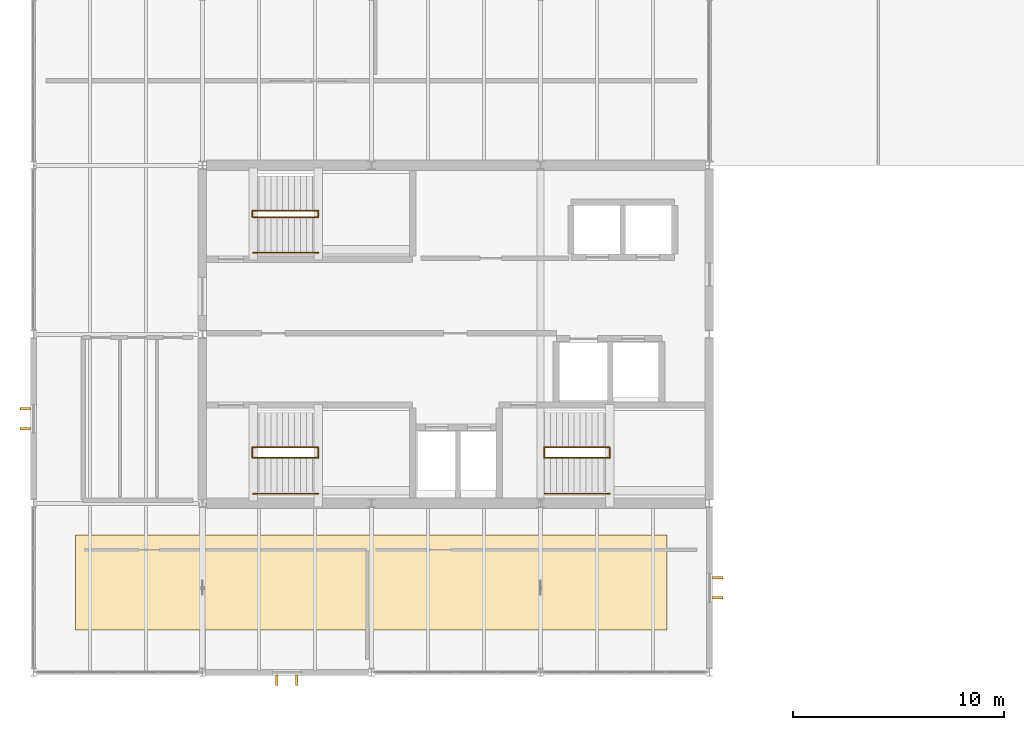
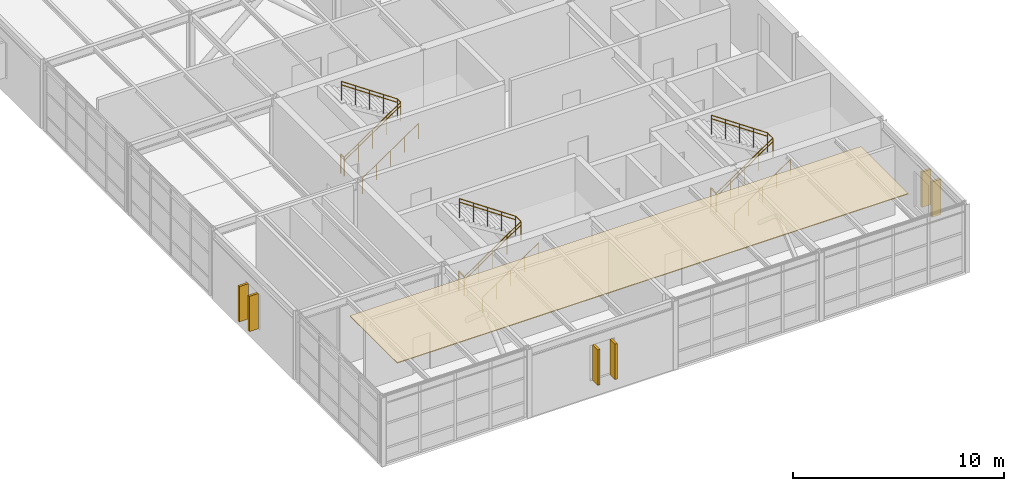
# One storey, part 19 of 20: 18 railings, 6 shading devices, 1 covering.
"""IFC4 building model written with IfcOpenShell, lengths in metres."""

from ifc_helpers import new_model, si_unit, direction, frame, origin, origin_2d, place, context, subcontext, project, spatial, polyline, rectangle, circle, outline, extrude, material, layer, layer_set, type_object, element, save


model = new_model("IFC4")

# Units and contexts
model_context = context("Model", 3, precision=1e-05, world=origin(), true_north=direction((0.0, 1.0)))
body_context = subcontext(model_context, "Body", "Model", "MODEL_VIEW")
ifc_project = project(units=[si_unit("LENGTHUNIT", "METRE"), si_unit("AREAUNIT", "SQUARE_METRE"), si_unit("VOLUMEUNIT", "CUBIC_METRE"), si_unit("PLANEANGLEUNIT", "RADIAN"), si_unit("MASSUNIT", "GRAM", prefix="KILO")], contexts=[model_context])

# Site, building, storey
site_placement = place(None, origin())
site = spatial("IfcSite", under=ifc_project, at=site_placement, CompositionType="ELEMENT")
building_placement = place(site_placement, origin())
building = spatial("IfcBuilding", under=site, at=building_placement, Name="Varnela Railside Interchange", CompositionType="ELEMENT")
storey_placement = place(building_placement, frame((0.0, 0.0, 28.0)))
storey = spatial("IfcBuildingStorey", under=building, at=storey_placement, Name="L06", CompositionType="ELEMENT", Elevation=28.0)

# Shading devices
ifc_material_1 = material(Name="Concrete C40 precast", Category="concrete")
shading_device_type = type_object("IfcShadingDeviceType", Name="Paulista Vertical Brise-Soleil BS-01", PredefinedType="USERDEFINED", material=ifc_material_1)
for number, where, z_axis, x_axis, name in (
    (1, (16.472412109375, 45.614990234375, 0.9501953125), (0.0, 0.0, 1.0), (0.0, -1.0, 0.0), "Paulista Vertical Brise-Soleil BS-01 (L06)"),
    (2, (15.527587890625, 45.614990234375, 0.9501953125), (0.0, 0.0, 1.0), (0.0, -1.0, 0.0), "Paulista Vertical Brise-Soleil BS-01 (L06)"),
    (3, (3.614990234375, 57.527587890625, 0.9501953125), (0.0, 0.0, 1.0), (-1.0, 0.0, 0.0), "Paulista Vertical Brise-Soleil BS-01 (L06)"),
    (4, (3.614990234375, 58.472412109375, 0.9501953125), (0.0, 0.0, 1.0), (-1.0, 0.0, 0.0), "Paulista Vertical Brise-Soleil BS-01 (L06)"),
    (5, (36.385009765625, 50.47314453125, 0.9501953125), (0.0, 0.0, 1.0), (1.0, 0.0, 0.0), "Paulista Vertical Brise-Soleil BS-01 (L06)"),
    (6, (36.385009765625, 49.5283203125, 0.9501953125), (0.0, 0.0, 1.0), (1.0, 0.0, 0.0), "Paulista Vertical Brise-Soleil BS-01 (L06)"),
):
    element("IfcShadingDevice", number, at=place(storey_placement, frame(where, z_axis=z_axis, x_axis=x_axis)), inside=storey, type_object=shading_device_type, Name=name, ObjectType="FIN", PredefinedType="USERDEFINED", context=body_context, shape_type="SweptSolid", body=[
        extrude(rectangle(XDim=0.5, YDim=0.1201171875, at=origin_2d()), origin(), (0.0, 0.0, 1.0), 2.050048828125),
    ])

# Covering
ifc_material_2 = material(Name="Gypsum acoustic board")
ifc_layer = layer(ifc_material_2, 0.044921875)
ifc_layer_set = layer_set([ifc_layer], Name="Gypsum acoustic board")
covering_type = type_object("IfcCoveringType", Name="Perforated Acoustic Baffle Ceiling CV-CLG", PredefinedType="CEILING", material=ifc_layer_set)
covering_placement = place(storey_placement, frame((0.0, 0.0, 3.93505859375)))
element("IfcCovering", 7, at=covering_placement, inside=storey, type_object=covering_type, Name="Perforated Acoustic Baffle Ceiling CV-CLG", PredefinedType="CEILING", context=body_context, shape_type="SweptSolid", body=[
    extrude(outline(polyline([(6.0, 48.0), (34.0, 48.0), (34.0, 52.5), (6.0, 52.5), (6.0, 48.0)])), origin(), (0.0, 0.0, 1.0), 0.044921875),
])

# Railings
ifc_material_3 = material(Name="Steel AR 350 (350 MPa)", Category="steel")
railing_type_1 = type_object("IfcRailingType", Name="Stair & Ramp Pitch Handrail HR-01", PredefinedType="HANDRAIL", material=ifc_material_3)
railing_1_placement = place(storey_placement, frame((14.39990234375, 56.14990234375, 0.0)))
element("IfcRailing", 8, at=railing_1_placement, inside=storey, type_object=railing_type_1, Name="Stair Handrail ST-T1 Flight 1 (RL-0463)", PredefinedType="HANDRAIL", context=body_context, shape_type="SweptSolid", body=[
    extrude(circle(Radius=0.02392578125, at=origin_2d()), frame((0.0, 0.0, 0.89599609375), z_axis=(0.826221800596, 0.0, 0.563344953133), x_axis=(0.0, 1.0, 0.0)), (0.0, 0.0, 1.0), 3.72802734375),
    extrude(circle(Radius=0.02099609375, at=origin_2d()), origin(), (0.0, 0.0, 1.0), 0.871826171875),
    extrude(circle(Radius=0.02099609375, at=origin_2d()), frame((0.77001953125, 0.0, 0.52490234375)), (0.0, 0.0, 1.0), 0.871826171875),
    extrude(circle(Radius=0.02099609375, at=origin_2d()), frame((1.5400390625, 0.0, 1.050048828125)), (0.0, 0.0, 1.0), 0.871826171875),
    extrude(circle(Radius=0.02099609375, at=origin_2d()), frame((2.31005859375, 0.0, 1.5751953125)), (0.0, 0.0, 1.0), 0.871826171875),
    extrude(circle(Radius=0.02099609375, at=origin_2d()), frame((3.080078125, 0.0, 2.10009765625)), (0.0, 0.0, 1.0), 0.871826171875),
])
railing_2_placement = place(storey_placement, frame((17.47998046875, 56.64990234375, 2.10009765625)))
element("IfcRailing", 9, at=railing_2_placement, inside=storey, type_object=railing_type_1, Name="Stair Handrail ST-T1 Flight 2 (RL-0464)", PredefinedType="HANDRAIL", context=body_context, shape_type="SweptSolid", body=[
    extrude(circle(Radius=0.02392578125, at=origin_2d()), frame((0.0, 0.0, 0.89599609375), z_axis=(-0.826252282691, 0.0, 0.563300244406), x_axis=(0.0, -1.0, 0.0)), (0.0, 0.0, 1.0), 3.727783203125),
    extrude(circle(Radius=0.02099609375, at=origin_2d()), origin(), (0.0, 0.0, 1.0), 0.871826171875),
    extrude(circle(Radius=0.02099609375, at=origin_2d()), frame((-0.77001953125, 0.0, 0.52490234375)), (0.0, 0.0, 1.0), 0.871826171875),
    extrude(circle(Radius=0.02099609375, at=origin_2d()), frame((-1.5400390625, 0.0, 1.0498046875)), (0.0, 0.0, 1.0), 0.871826171875),
    extrude(circle(Radius=0.02099609375, at=origin_2d()), frame((-2.31005859375, 0.0, 1.574951171875)), (0.0, 0.0, 1.0), 0.871826171875),
    extrude(circle(Radius=0.02099609375, at=origin_2d()), frame((-3.080078125, 0.0, 2.099853515625)), (0.0, 0.0, 1.0), 0.871826171875),
])
railing_3_placement = place(storey_placement, frame((28.199951171875, 56.14990234375, 0.0)))
element("IfcRailing", 10, at=railing_3_placement, inside=storey, type_object=railing_type_1, Name="Stair Handrail ST-T2 Flight 1 (RL-0465)", PredefinedType="HANDRAIL", context=body_context, shape_type="SweptSolid", body=[
    extrude(circle(Radius=0.02392578125, at=origin_2d()), frame((0.0, 0.0, 0.89599609375), z_axis=(0.826221800596, 0.0, 0.563344953133), x_axis=(0.0, 1.0, 0.0)), (0.0, 0.0, 1.0), 3.72802734375),
    extrude(circle(Radius=0.02099609375, at=origin_2d()), origin(), (0.0, 0.0, 1.0), 0.871826171875),
    extrude(circle(Radius=0.02099609375, at=origin_2d()), frame((0.77001953125, 0.0, 0.52490234375)), (0.0, 0.0, 1.0), 0.871826171875),
    extrude(circle(Radius=0.02099609375, at=origin_2d()), frame((1.5400390625, 0.0, 1.050048828125)), (0.0, 0.0, 1.0), 0.871826171875),
    extrude(circle(Radius=0.02099609375, at=origin_2d()), frame((2.31005859375, 0.0, 1.5751953125)), (0.0, 0.0, 1.0), 0.871826171875),
    extrude(circle(Radius=0.02099609375, at=origin_2d()), frame((3.080078125, 0.0, 2.10009765625)), (0.0, 0.0, 1.0), 0.871826171875),
])
railing_4_placement = place(storey_placement, frame((31.280029296875, 56.64990234375, 2.10009765625)))
element("IfcRailing", 11, at=railing_4_placement, inside=storey, type_object=railing_type_1, Name="Stair Handrail ST-T2 Flight 2 (RL-0466)", PredefinedType="HANDRAIL", context=body_context, shape_type="SweptSolid", body=[
    extrude(circle(Radius=0.02392578125, at=origin_2d()), frame((0.0, 0.0, 0.89599609375), z_axis=(-0.826252282691, 0.0, 0.563300244406), x_axis=(0.0, -1.0, 0.0)), (0.0, 0.0, 1.0), 3.727783203125),
    extrude(circle(Radius=0.02099609375, at=origin_2d()), origin(), (0.0, 0.0, 1.0), 0.871826171875),
    extrude(circle(Radius=0.02099609375, at=origin_2d()), frame((-0.77001953125, 0.0, 0.52490234375)), (0.0, 0.0, 1.0), 0.871826171875),
    extrude(circle(Radius=0.02099609375, at=origin_2d()), frame((-1.5400390625, 0.0, 1.0498046875)), (0.0, 0.0, 1.0), 0.871826171875),
    extrude(circle(Radius=0.02099609375, at=origin_2d()), frame((-2.31005859375, 0.0, 1.574951171875)), (0.0, 0.0, 1.0), 0.871826171875),
    extrude(circle(Radius=0.02099609375, at=origin_2d()), frame((-3.080078125, 0.0, 2.099853515625)), (0.0, 0.0, 1.0), 0.871826171875),
])
railing_5_placement = place(storey_placement, frame((14.39990234375, 67.550048828125, 0.0)))
element("IfcRailing", 12, at=railing_5_placement, inside=storey, type_object=railing_type_1, Name="Stair Handrail ST-T3 Flight 1 (RL-0467)", PredefinedType="HANDRAIL", context=body_context, shape_type="SweptSolid", body=[
    extrude(circle(Radius=0.02392578125, at=origin_2d()), frame((0.0, 0.0, 0.89599609375), z_axis=(0.826221800596, 0.0, 0.563344953133), x_axis=(0.0, 1.0, 0.0)), (0.0, 0.0, 1.0), 3.72802734375),
    extrude(circle(Radius=0.02099609375, at=origin_2d()), origin(), (0.0, 0.0, 1.0), 0.871826171875),
    extrude(circle(Radius=0.02099609375, at=origin_2d()), frame((0.77001953125, 0.0, 0.52490234375)), (0.0, 0.0, 1.0), 0.871826171875),
    extrude(circle(Radius=0.02099609375, at=origin_2d()), frame((1.5400390625, 0.0, 1.050048828125)), (0.0, 0.0, 1.0), 0.871826171875),
    extrude(circle(Radius=0.02099609375, at=origin_2d()), frame((2.31005859375, 0.0, 1.5751953125)), (0.0, 0.0, 1.0), 0.871826171875),
    extrude(circle(Radius=0.02099609375, at=origin_2d()), frame((3.080078125, 0.0, 2.10009765625)), (0.0, 0.0, 1.0), 0.871826171875),
])
railing_6_placement = place(storey_placement, frame((17.47998046875, 67.85009765625, 2.10009765625)))
element("IfcRailing", 13, at=railing_6_placement, inside=storey, type_object=railing_type_1, Name="Stair Handrail ST-T3 Flight 2 (RL-0468)", PredefinedType="HANDRAIL", context=body_context, shape_type="SweptSolid", body=[
    extrude(circle(Radius=0.02392578125, at=origin_2d()), frame((0.0, 0.0, 0.89599609375), z_axis=(-0.826252282691, 0.0, 0.563300244406), x_axis=(0.0, -1.0, 0.0)), (0.0, 0.0, 1.0), 3.727783203125),
    extrude(circle(Radius=0.02099609375, at=origin_2d()), origin(), (0.0, 0.0, 1.0), 0.871826171875),
    extrude(circle(Radius=0.02099609375, at=origin_2d()), frame((-0.77001953125, 0.0, 0.52490234375)), (0.0, 0.0, 1.0), 0.871826171875),
    extrude(circle(Radius=0.02099609375, at=origin_2d()), frame((-1.5400390625, 0.0, 1.0498046875)), (0.0, 0.0, 1.0), 0.871826171875),
    extrude(circle(Radius=0.02099609375, at=origin_2d()), frame((-2.31005859375, 0.0, 1.574951171875)), (0.0, 0.0, 1.0), 0.871826171875),
    extrude(circle(Radius=0.02099609375, at=origin_2d()), frame((-3.080078125, 0.0, 2.099853515625)), (0.0, 0.0, 1.0), 0.871826171875),
])
railing_type_2 = type_object("IfcRailingType", Name="Stair Well & Landing Guard GR-02", PredefinedType="GUARDRAIL", material=ifc_material_3)
railing_7_placement = place(storey_placement, frame((14.3701171875, 56.14990234375, 0.0)))
element("IfcRailing", 14, at=railing_7_placement, inside=storey, type_object=railing_type_2, Name="Stair Well Slot Guard ST-T1 on L06 (RL-0456)", PredefinedType="GUARDRAIL", context=body_context, shape_type="SweptSolid", body=[
    extrude(circle(Radius=0.02392578125, at=origin_2d()), frame((0.0, 0.0, 1.09619140625), z_axis=(0.0, 1.0, 0.0), x_axis=(-1.0, 0.0, 0.0)), (0.0, 0.0, 1.0), 0.5),
    extrude(circle(Radius=0.02099609375, at=origin_2d()), origin(), (0.0, 0.0, 1.0), 1.072021484375),
    extrude(circle(Radius=0.02099609375, at=origin_2d()), frame((0.0, 0.5, 0.0)), (0.0, 0.0, 1.0), 1.072021484375),
])
railing_8_placement = place(storey_placement, frame((14.39990234375, 56.14990234375, 0.0)))
element("IfcRailing", 15, at=railing_8_placement, inside=storey, type_object=railing_type_2, Name="Stair Guard ST-T1 Half-Landing (RL-0454)", PredefinedType="GUARDRAIL", context=body_context, shape_type="SweptSolid", body=[
    extrude(circle(Radius=0.02392578125, at=origin_2d()), frame((0.0, 0.0, 1.09619140625), z_axis=(0.826221800596, 0.0, 0.563344953133), x_axis=(0.0, 1.0, 0.0)), (0.0, 0.0, 1.0), 3.72802734375),
    extrude(circle(Radius=0.02392578125, at=origin_2d()), frame((3.080078125, 0.0, 3.1962890625), z_axis=(0.0, 1.0, 0.0), x_axis=(-1.0, 0.0, 0.0)), (0.0, 0.0, 1.0), 0.5),
    extrude(circle(Radius=0.02099609375, at=origin_2d()), origin(), (0.0, 0.0, 1.0), 1.072021484375),
    extrude(circle(Radius=0.02099609375, at=origin_2d()), frame((0.77001953125, 0.0, 0.52490234375)), (0.0, 0.0, 1.0), 1.072021484375),
    extrude(circle(Radius=0.02099609375, at=origin_2d()), frame((1.5400390625, 0.0, 1.050048828125)), (0.0, 0.0, 1.0), 1.072021484375),
    extrude(circle(Radius=0.02099609375, at=origin_2d()), frame((2.31005859375, 0.0, 1.5751953125)), (0.0, 0.0, 1.0), 1.072021484375),
    extrude(circle(Radius=0.02099609375, at=origin_2d()), frame((3.080078125, 0.0, 2.10009765625)), (0.0, 0.0, 1.0), 1.072021484375),
    extrude(circle(Radius=0.02099609375, at=origin_2d()), frame((3.080078125, 0.5, 2.10009765625)), (0.0, 0.0, 1.0), 1.072021484375),
])
railing_9_placement = place(storey_placement, frame((17.47998046875, 56.64990234375, 2.10009765625)))
element("IfcRailing", 16, at=railing_9_placement, inside=storey, type_object=railing_type_2, Name="Stair Guard ST-T1 Upper Flight (RL-0455)", PredefinedType="GUARDRAIL", context=body_context, shape_type="SweptSolid", body=[
    extrude(circle(Radius=0.02392578125, at=origin_2d()), frame((0.0, 0.0, 1.09619140625), z_axis=(-0.826252282691, 0.0, 0.563300244406), x_axis=(0.0, -1.0, 0.0)), (0.0, 0.0, 1.0), 3.727783203125),
    extrude(circle(Radius=0.02099609375, at=origin_2d()), origin(), (0.0, 0.0, 1.0), 1.072021484375),
    extrude(circle(Radius=0.02099609375, at=origin_2d()), frame((-0.77001953125, 0.0, 0.52490234375)), (0.0, 0.0, 1.0), 1.072021484375),
    extrude(circle(Radius=0.02099609375, at=origin_2d()), frame((-1.5400390625, 0.0, 1.0498046875)), (0.0, 0.0, 1.0), 1.072021484375),
    extrude(circle(Radius=0.02099609375, at=origin_2d()), frame((-2.31005859375, 0.0, 1.574951171875)), (0.0, 0.0, 1.0), 1.072021484375),
    extrude(circle(Radius=0.02099609375, at=origin_2d()), frame((-3.080078125, 0.0, 2.099853515625)), (0.0, 0.0, 1.0), 1.072021484375),
])
railing_10_placement = place(storey_placement, frame((28.169921875, 56.14990234375, 0.0)))
element("IfcRailing", 17, at=railing_10_placement, inside=storey, type_object=railing_type_2, Name="Stair Well Slot Guard ST-T2 on L06 (RL-0459)", PredefinedType="GUARDRAIL", context=body_context, shape_type="SweptSolid", body=[
    extrude(circle(Radius=0.02392578125, at=origin_2d()), frame((0.0, 0.0, 1.09619140625), z_axis=(0.0, 1.0, 0.0), x_axis=(-1.0, 0.0, 0.0)), (0.0, 0.0, 1.0), 0.5),
    extrude(circle(Radius=0.02099609375, at=origin_2d()), origin(), (0.0, 0.0, 1.0), 1.072021484375),
    extrude(circle(Radius=0.02099609375, at=origin_2d()), frame((0.0, 0.5, 0.0)), (0.0, 0.0, 1.0), 1.072021484375),
])
railing_11_placement = place(storey_placement, frame((28.199951171875, 56.14990234375, 0.0)))
element("IfcRailing", 18, at=railing_11_placement, inside=storey, type_object=railing_type_2, Name="Stair Guard ST-T2 Half-Landing (RL-0457)", PredefinedType="GUARDRAIL", context=body_context, shape_type="SweptSolid", body=[
    extrude(circle(Radius=0.02392578125, at=origin_2d()), frame((0.0, 0.0, 1.09619140625), z_axis=(0.826221800596, 0.0, 0.563344953133), x_axis=(0.0, 1.0, 0.0)), (0.0, 0.0, 1.0), 3.72802734375),
    extrude(circle(Radius=0.02392578125, at=origin_2d()), frame((3.080078125, 0.0, 3.1962890625), z_axis=(0.0, 1.0, 0.0), x_axis=(-1.0, 0.0, 0.0)), (0.0, 0.0, 1.0), 0.5),
    extrude(circle(Radius=0.02099609375, at=origin_2d()), origin(), (0.0, 0.0, 1.0), 1.072021484375),
    extrude(circle(Radius=0.02099609375, at=origin_2d()), frame((0.77001953125, 0.0, 0.52490234375)), (0.0, 0.0, 1.0), 1.072021484375),
    extrude(circle(Radius=0.02099609375, at=origin_2d()), frame((1.5400390625, 0.0, 1.050048828125)), (0.0, 0.0, 1.0), 1.072021484375),
    extrude(circle(Radius=0.02099609375, at=origin_2d()), frame((2.31005859375, 0.0, 1.5751953125)), (0.0, 0.0, 1.0), 1.072021484375),
    extrude(circle(Radius=0.02099609375, at=origin_2d()), frame((3.080078125, 0.0, 2.10009765625)), (0.0, 0.0, 1.0), 1.072021484375),
    extrude(circle(Radius=0.02099609375, at=origin_2d()), frame((3.080078125, 0.5, 2.10009765625)), (0.0, 0.0, 1.0), 1.072021484375),
])
railing_12_placement = place(storey_placement, frame((31.280029296875, 56.64990234375, 2.10009765625)))
element("IfcRailing", 19, at=railing_12_placement, inside=storey, type_object=railing_type_2, Name="Stair Guard ST-T2 Upper Flight (RL-0458)", PredefinedType="GUARDRAIL", context=body_context, shape_type="SweptSolid", body=[
    extrude(circle(Radius=0.02392578125, at=origin_2d()), frame((0.0, 0.0, 1.09619140625), z_axis=(-0.826252282691, 0.0, 0.563300244406), x_axis=(0.0, -1.0, 0.0)), (0.0, 0.0, 1.0), 3.727783203125),
    extrude(circle(Radius=0.02099609375, at=origin_2d()), origin(), (0.0, 0.0, 1.0), 1.072021484375),
    extrude(circle(Radius=0.02099609375, at=origin_2d()), frame((-0.77001953125, 0.0, 0.52490234375)), (0.0, 0.0, 1.0), 1.072021484375),
    extrude(circle(Radius=0.02099609375, at=origin_2d()), frame((-1.5400390625, 0.0, 1.0498046875)), (0.0, 0.0, 1.0), 1.072021484375),
    extrude(circle(Radius=0.02099609375, at=origin_2d()), frame((-2.31005859375, 0.0, 1.574951171875)), (0.0, 0.0, 1.0), 1.072021484375),
    extrude(circle(Radius=0.02099609375, at=origin_2d()), frame((-3.080078125, 0.0, 2.099853515625)), (0.0, 0.0, 1.0), 1.072021484375),
])
railing_13_placement = place(storey_placement, frame((14.3701171875, 67.550048828125, 0.0)))
element("IfcRailing", 20, at=railing_13_placement, inside=storey, type_object=railing_type_2, Name="Stair Well Slot Guard ST-T3 on L06 (RL-0462)", PredefinedType="GUARDRAIL", context=body_context, shape_type="SweptSolid", body=[
    extrude(circle(Radius=0.02392578125, at=origin_2d()), frame((0.0, 0.0, 1.09619140625), z_axis=(0.0, 1.0, 0.0), x_axis=(-1.0, 0.0, 0.0)), (0.0, 0.0, 1.0), 0.300048828125),
    extrude(circle(Radius=0.02099609375, at=origin_2d()), origin(), (0.0, 0.0, 1.0), 1.072021484375),
    extrude(circle(Radius=0.02099609375, at=origin_2d()), frame((0.0, 0.300048828125, 0.0)), (0.0, 0.0, 1.0), 1.072021484375),
])
railing_14_placement = place(storey_placement, frame((14.39990234375, 67.550048828125, 0.0)))
element("IfcRailing", 21, at=railing_14_placement, inside=storey, type_object=railing_type_2, Name="Stair Guard ST-T3 Half-Landing (RL-0460)", PredefinedType="GUARDRAIL", context=body_context, shape_type="SweptSolid", body=[
    extrude(circle(Radius=0.02392578125, at=origin_2d()), frame((0.0, 0.0, 1.09619140625), z_axis=(0.826221800596, 0.0, 0.563344953133), x_axis=(0.0, 1.0, 0.0)), (0.0, 0.0, 1.0), 3.72802734375),
    extrude(circle(Radius=0.02392578125, at=origin_2d()), frame((3.080078125, 0.0, 3.1962890625), z_axis=(0.0, 1.0, 0.0), x_axis=(-1.0, 0.0, 0.0)), (0.0, 0.0, 1.0), 0.300048828125),
    extrude(circle(Radius=0.02099609375, at=origin_2d()), origin(), (0.0, 0.0, 1.0), 1.072021484375),
    extrude(circle(Radius=0.02099609375, at=origin_2d()), frame((0.77001953125, 0.0, 0.52490234375)), (0.0, 0.0, 1.0), 1.072021484375),
    extrude(circle(Radius=0.02099609375, at=origin_2d()), frame((1.5400390625, 0.0, 1.050048828125)), (0.0, 0.0, 1.0), 1.072021484375),
    extrude(circle(Radius=0.02099609375, at=origin_2d()), frame((2.31005859375, 0.0, 1.5751953125)), (0.0, 0.0, 1.0), 1.072021484375),
    extrude(circle(Radius=0.02099609375, at=origin_2d()), frame((3.080078125, 0.0, 2.10009765625)), (0.0, 0.0, 1.0), 1.072021484375),
    extrude(circle(Radius=0.02099609375, at=origin_2d()), frame((3.080078125, 0.300048828125, 2.10009765625)), (0.0, 0.0, 1.0), 1.072021484375),
])
railing_15_placement = place(storey_placement, frame((17.47998046875, 67.85009765625, 2.10009765625)))
element("IfcRailing", 22, at=railing_15_placement, inside=storey, type_object=railing_type_2, Name="Stair Guard ST-T3 Upper Flight (RL-0461)", PredefinedType="GUARDRAIL", context=body_context, shape_type="SweptSolid", body=[
    extrude(circle(Radius=0.02392578125, at=origin_2d()), frame((0.0, 0.0, 1.09619140625), z_axis=(-0.826252282691, 0.0, 0.563300244406), x_axis=(0.0, -1.0, 0.0)), (0.0, 0.0, 1.0), 3.727783203125),
    extrude(circle(Radius=0.02099609375, at=origin_2d()), origin(), (0.0, 0.0, 1.0), 1.072021484375),
    extrude(circle(Radius=0.02099609375, at=origin_2d()), frame((-0.77001953125, 0.0, 0.52490234375)), (0.0, 0.0, 1.0), 1.072021484375),
    extrude(circle(Radius=0.02099609375, at=origin_2d()), frame((-1.5400390625, 0.0, 1.0498046875)), (0.0, 0.0, 1.0), 1.072021484375),
    extrude(circle(Radius=0.02099609375, at=origin_2d()), frame((-2.31005859375, 0.0, 1.574951171875)), (0.0, 0.0, 1.0), 1.072021484375),
    extrude(circle(Radius=0.02099609375, at=origin_2d()), frame((-3.080078125, 0.0, 2.099853515625)), (0.0, 0.0, 1.0), 1.072021484375),
])
railing_type_3 = type_object("IfcRailingType", Name="Wall-Mounted Stair Handrail HR-02", PredefinedType="HANDRAIL", material=ifc_material_3)
for number, where, name in (
    (23, (14.39990234375, 54.4599609375, 0.0), "Wall Handrail ST-T1 Flight 1 (RL-0469)"),
    (24, (28.199951171875, 54.4599609375, 0.0), "Wall Handrail ST-T2 Flight 1 (RL-0470)"),
    (25, (14.39990234375, 65.860107421875, 0.0), "Wall Handrail ST-T3 Flight 1 (RL-0471)"),
):
    element("IfcRailing", number, at=place(storey_placement, frame(where)), inside=storey, type_object=railing_type_3, Name=name, PredefinedType="HANDRAIL", context=body_context, shape_type="SweptSolid", body=[
        extrude(circle(Radius=0.02392578125, at=origin_2d()), frame((0.0, 0.0, 0.89599609375), z_axis=(0.826221800596, 0.0, 0.563344953133), x_axis=(0.0, 1.0, 0.0)), (0.0, 0.0, 1.0), 3.72802734375),
        extrude(circle(Radius=0.02099609375, at=origin_2d()), origin(), (0.0, 0.0, 1.0), 0.871826171875),
        extrude(circle(Radius=0.02099609375, at=origin_2d()), frame((0.77001953125, 0.0, 0.52490234375)), (0.0, 0.0, 1.0), 0.871826171875),
        extrude(circle(Radius=0.02099609375, at=origin_2d()), frame((1.5400390625, 0.0, 1.050048828125)), (0.0, 0.0, 1.0), 0.871826171875),
        extrude(circle(Radius=0.02099609375, at=origin_2d()), frame((2.31005859375, 0.0, 1.5751953125)), (0.0, 0.0, 1.0), 0.871826171875),
        extrude(circle(Radius=0.02099609375, at=origin_2d()), frame((3.080078125, 0.0, 2.10009765625)), (0.0, 0.0, 1.0), 0.871826171875),
    ])

save(model, "model.ifc")
